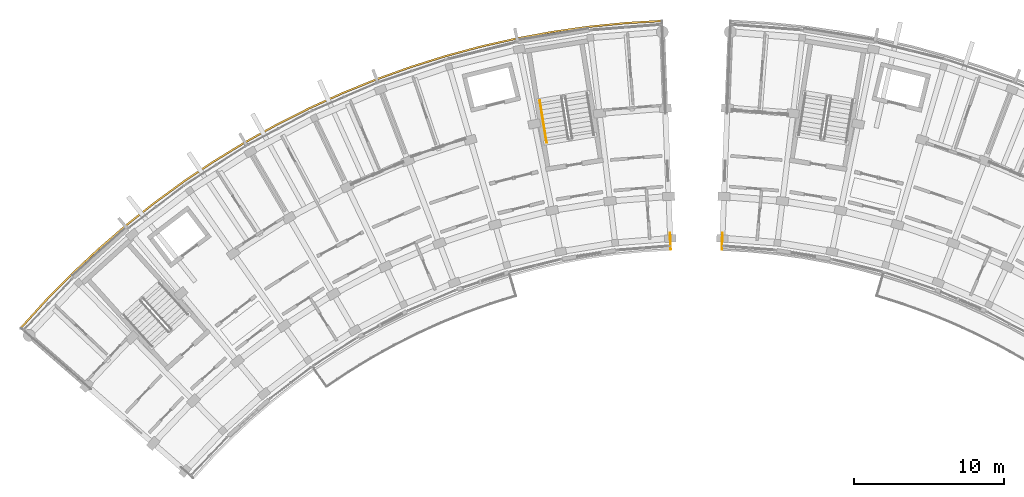
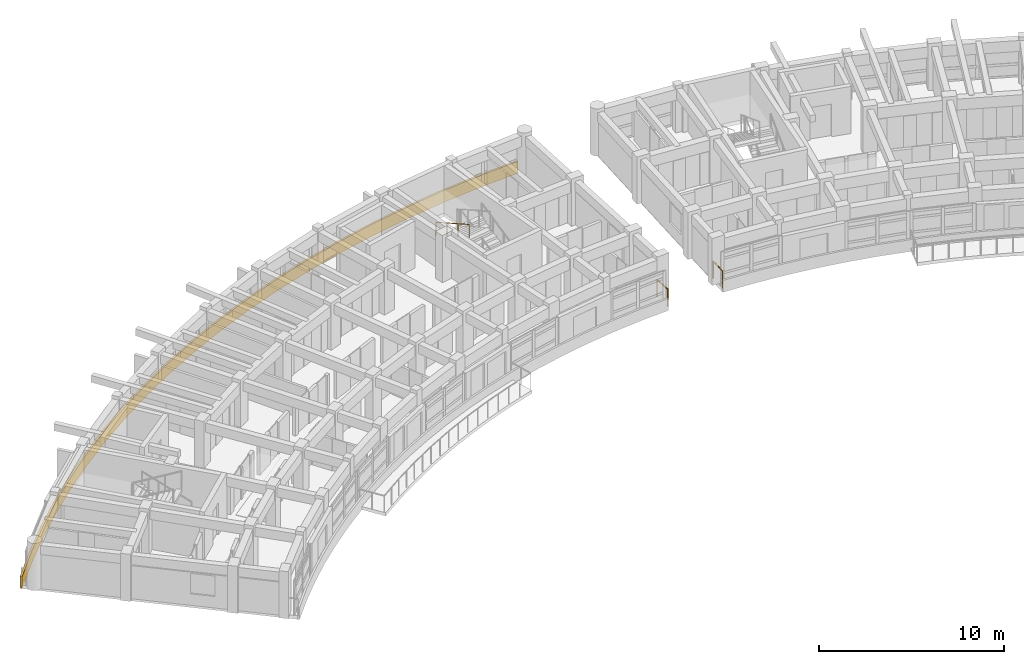
# One storey, part 43 of 56: 4 railings.
"""IFC4 building model written with IfcOpenShell, lengths in metres."""

from ifc_helpers import new_model, si_unit, direction, frame, origin, origin_2d, place, context, subcontext, project, spatial, polyline, circle, outline, extrude, material, type_object, element, save


model = new_model("IFC4")

# Units and contexts
model_context = context("Model", 3, precision=1e-05, world=origin(), true_north=direction((0.0, 1.0)))
body_context = subcontext(model_context, "Body", "Model", "MODEL_VIEW")
ifc_project = project(units=[si_unit("LENGTHUNIT", "METRE"), si_unit("AREAUNIT", "SQUARE_METRE"), si_unit("VOLUMEUNIT", "CUBIC_METRE"), si_unit("PLANEANGLEUNIT", "RADIAN"), si_unit("MASSUNIT", "GRAM", prefix="KILO")], contexts=[model_context])

# Site, building, storey
site_placement = place(None, origin())
site = spatial("IfcSite", under=ifc_project, at=site_placement, CompositionType="ELEMENT")
building_placement = place(site_placement, origin())
building = spatial("IfcBuilding", under=site, at=building_placement, Name="Zimvara Arc Housing Community", CompositionType="ELEMENT")
storey_placement = place(building_placement, frame((0.0, 0.0, 17.39990234375)))
storey = spatial("IfcBuildingStorey", under=building, at=storey_placement, Name="L05", CompositionType="ELEMENT", Elevation=17.39990234375)

# Railings
ifc_material_1 = material(Name="Anodised Aluminium AW-6063", Category="aluminium")
railing_type_1 = type_object("IfcRailingType", Name="RLG-BAL-1150", PredefinedType="BALUSTRADE", material=ifc_material_1)
railing_1_placement = place(storey_placement, frame((43.295654296875, 88.8671875, 0.0)))
element("IfcRailing", 1, at=railing_1_placement, inside=storey, type_object=railing_type_1, Name="rlg:blkA:L05:gable_in:gN", PredefinedType="BALUSTRADE", context=body_context, shape_type="SweptSolid", body=[
    extrude(circle(Radius=0.02392578125, at=origin_2d()), frame((0.0, 0.0, 1.1259765625), z_axis=(-0.038424441628, 0.999261508458, 0.0), x_axis=(-0.999261508458, -0.038424441628, 0.0)), (0.0, 0.0, 1.0), 1.080078125),
    extrude(circle(Radius=0.02099609375, at=origin_2d()), origin(), (0.0, 0.0, 1.0), 1.101806640625),
    extrude(circle(Radius=0.02099609375, at=origin_2d()), frame((-0.04150390625, 1.079345703125, 0.0)), (0.0, 0.0, 1.0), 1.101806640625),
])
railing_2_placement = place(storey_placement, frame((46.704345703125, 88.8671875, 0.0)))
element("IfcRailing", 2, at=railing_2_placement, inside=storey, type_object=railing_type_1, Name="rlg:blkB:L05:gable_in:g0", PredefinedType="BALUSTRADE", context=body_context, shape_type="SweptSolid", body=[
    extrude(circle(Radius=0.02392578125, at=origin_2d()), frame((0.0, 0.0, 1.1259765625), z_axis=(0.038424441628, 0.999261508458, 0.0), x_axis=(-0.999261508458, 0.038424441628, 0.0)), (0.0, 0.0, 1.0), 1.080078125),
    extrude(circle(Radius=0.02099609375, at=origin_2d()), origin(), (0.0, 0.0, 1.0), 1.101806640625),
    extrude(circle(Radius=0.02099609375, at=origin_2d()), frame((0.04150390625, 1.079345703125, 0.0)), (0.0, 0.0, 1.0), 1.101806640625),
])
ifc_material_2 = material(Name="Pale-Gold Anodised Aluminium AW-6063", Category="aluminium")
railing_type_2 = type_object("IfcRailingType", Name="RLG-FAS-780", PredefinedType="BALUSTRADE", material=ifc_material_2)
railing_3_placement = place(storey_placement, frame((0.0, 0.0, -0.219970703125)))
element("IfcRailing", 3, at=railing_3_placement, inside=storey, type_object=railing_type_2, Name="rlg:blkA:L05:gold_out", PredefinedType="BALUSTRADE", context=body_context, shape_type="SweptSolid", body=[
    extrude(outline(polyline([(0.049560546875, 83.574951171875), (1.682373046875, 85.377685546875), (3.387451171875, 87.112060546875), (5.162109375, 88.775634765625), (7.0029296875, 90.365234375), (8.9072265625, 91.87841796875), (10.871826171875, 93.3125), (12.893310546875, 94.665283203125), (14.96826171875, 95.934326171875), (17.09326171875, 97.11767578125), (19.264892578125, 98.213134765625), (21.4794921875, 99.218994140625), (23.733154296875, 100.1337890625), (26.0224609375, 100.955810546875), (28.34326171875, 101.68359375), (30.692138671875, 102.31591796875), (33.064453125, 102.851806640625), (35.45703125, 103.29052734375), (37.865234375, 103.631103515625), (40.28564453125, 103.873046875), (42.713623046875, 104.01611328125), (42.708984375, 104.135986328125), (40.276123046875, 103.99267578125), (37.850830078125, 103.750244140625), (35.437744140625, 103.408935546875), (33.04052734375, 102.969482421875), (30.6630859375, 102.432373046875), (28.309814453125, 101.798583984375), (25.984375, 101.069580078125), (23.6904296875, 100.245849609375), (21.43212890625, 99.329345703125), (19.213134765625, 98.3212890625), (17.037109375, 97.2236328125), (14.90771484375, 96.037841796875), (12.82861328125, 94.766357421875), (10.802978515625, 93.410888671875), (8.834716796875, 91.973876953125), (6.926513671875, 90.457763671875), (5.081787109375, 88.86474609375), (3.3037109375, 87.197998046875), (1.59521484375, 85.4599609375), (-0.041015625, 83.653564453125), (0.049560546875, 83.574951171875)])), origin(), (0.0, 0.0, 1.0), 0.780029296875),
])
ifc_material_3 = material(Name="Anodised Aluminium AW-6063", Category="aluminium")
railing_type_3 = type_object("IfcRailingType", Name="RLG-HND-900", PredefinedType="HANDRAIL", material=ifc_material_3)
railing_4_placement = place(storey_placement, frame((34.58056640625, 98.7666015625, 1.705078125)))
element("IfcRailing", 4, at=railing_4_placement, inside=storey, type_object=railing_type_3, Name="L05 ST-A2 stair handrail 2", PredefinedType="HANDRAIL", context=body_context, shape_type="SweptSolid", body=[
    extrude(circle(Radius=0.02392578125, at=origin_2d()), frame((0.0, 0.0, 0.8759765625), z_axis=(0.143721784145, -0.885666177347, 0.441519502474), x_axis=(0.987087819028, 0.160180016, 0.0)), (0.0, 0.0, 1.0), 3.15966796875),
    extrude(circle(Radius=0.02099609375, at=origin_2d()), origin(), (0.0, 0.0, 1.0), 0.851806640625),
    extrude(circle(Radius=0.02099609375, at=origin_2d()), frame((0.1513671875, -0.932861328125, 0.465087890625)), (0.0, 0.0, 1.0), 0.851806640625),
    extrude(circle(Radius=0.02099609375, at=origin_2d()), frame((0.302734375, -1.865478515625, 0.929931640625)), (0.0, 0.0, 1.0), 0.851806640625),
    extrude(circle(Radius=0.02099609375, at=origin_2d()), frame((0.4541015625, -2.79833984375, 1.39501953125)), (0.0, 0.0, 1.0), 0.851806640625),
])

save(model, "model.ifc")
